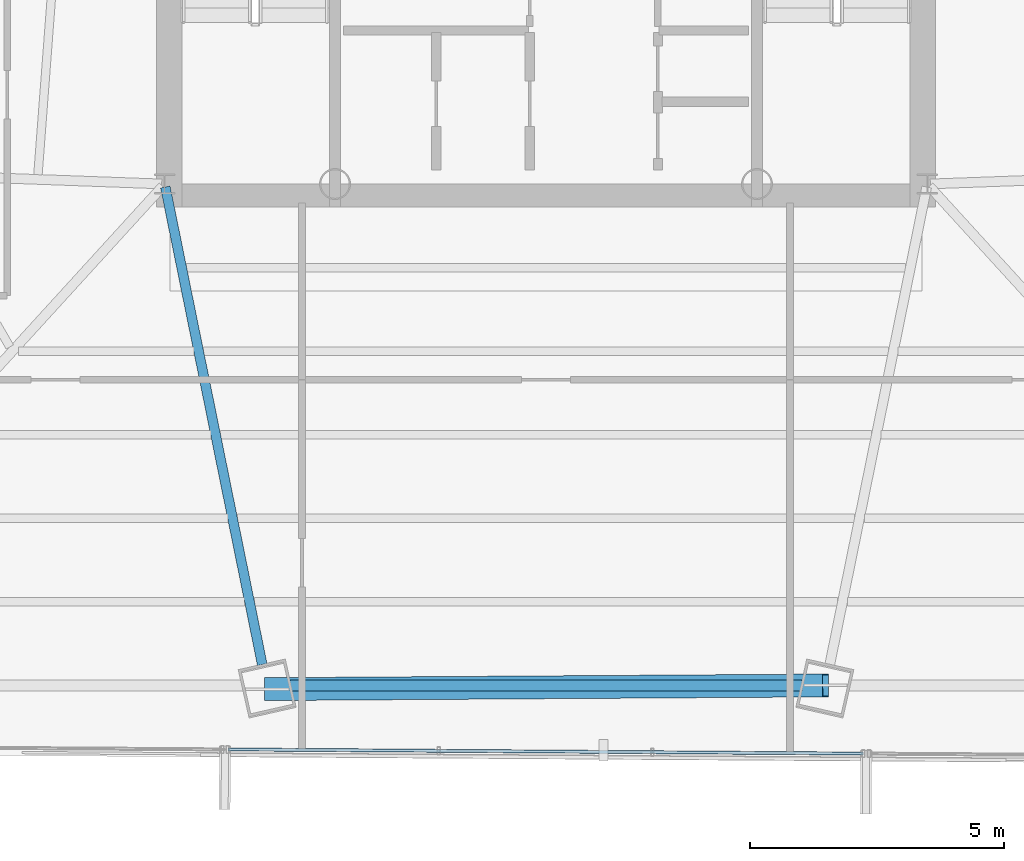
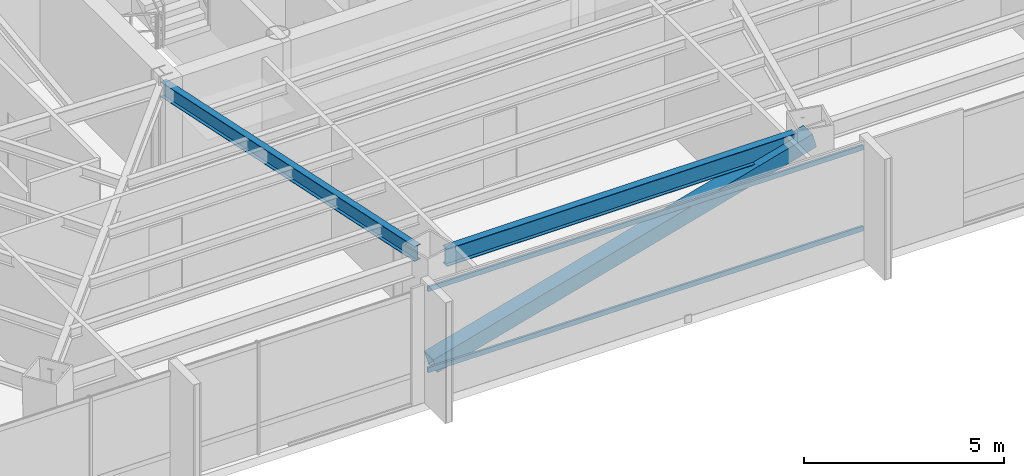
# One storey, part 9 of 41: 3 members, 2 beams, 1 element without a shape of its own.
"""IFC4 building model written with IfcOpenShell, lengths in metres."""

from ifc_helpers import new_model, si_unit, direction, frame, origin, origin_2d, place, context, subcontext, project, spatial, hollow_rectangle, i_section, extrude, source, transform, mapped, material, material_profile, profile_set, type_object, type_shapes, element, aggregate, save


model = new_model("IFC4")

# Units and contexts
model_context = context("Model", 3, precision=1e-05, world=origin(), true_north=direction((0.0, 1.0)))
body_context = subcontext(model_context, "Body", "Model", "MODEL_VIEW")
ifc_project = project(units=[si_unit("LENGTHUNIT", "METRE"), si_unit("AREAUNIT", "SQUARE_METRE"), si_unit("VOLUMEUNIT", "CUBIC_METRE"), si_unit("PLANEANGLEUNIT", "RADIAN"), si_unit("MASSUNIT", "GRAM", prefix="KILO")], contexts=[model_context])

# Site, building, storey
site_placement = place(None, origin())
site = spatial("IfcSite", under=ifc_project, at=site_placement, CompositionType="ELEMENT")
building_placement = place(site_placement, origin())
building = spatial("IfcBuilding", under=site, at=building_placement, Name="Caelisora Broadcast Tower", CompositionType="ELEMENT")
storey_placement = place(building_placement, frame((0.0, 0.0, 162.14990234375)))
storey = spatial("IfcBuildingStorey", under=building, at=storey_placement, Name="L42", CompositionType="ELEMENT", Elevation=162.14990234375)

# Beams
ifc_material_1 = material(Name="Steel Grade 350 (AS/NZS 3679.1)", Category="steel")
ifc_material_profile_1 = material_profile(ifc_material_1, i_section(OverallWidth=0.208984375, OverallDepth=0.532958984375, WebThickness=0.01025390625, FlangeThickness=0.015625, at=origin_2d()), Name="Steel Grade 350 (AS/NZS 3679.1)")
ifc_profile_set_1 = profile_set([ifc_material_profile_1], Name="Steel Grade 350 (AS/NZS 3679.1)")
beam_type_1 = type_object("IfcBeamType", Name="PG05", PredefinedType="BEAM", material=ifc_profile_set_1)
shared_shape_1 = source(origin(), body_context, "Body", "SweptSolid", [
    extrude(i_section(OverallWidth=0.208984375, OverallDepth=0.532958984375, WebThickness=0.01025390625, FlangeThickness=0.015625, at=origin_2d()), origin(), (0.0, 0.0, 1.0), 10.07568359375),
])
type_shapes(beam_type_1, [shared_shape_1])
beam_1_placement = place(storey_placement, frame((32.962158203125, 7.537353515625, 3.133544921875), z_axis=(1.0, 0.0, 0.0), x_axis=(0.0, 1.0, 0.0)))
element("IfcBeam", 1, at=beam_1_placement, inside=storey, type_object=beam_type_1, Name="L42 beam PG05", PredefinedType="BEAM", context=body_context, shape_type="MappedRepresentation", body=[
    mapped(shared_shape_1, transform((0.0, 0.0, 0.0), scale=1.0)),
])
ifc_material_profile_2 = material_profile(ifc_material_1, i_section(OverallWidth=0.19091796875, OverallDepth=0.46044921875, WebThickness=0.010009765625, FlangeThickness=0.01611328125, at=origin_2d()), Name="Steel Grade 350 (AS/NZS 3679.1)")
ifc_profile_set_2 = profile_set([ifc_material_profile_2], Name="Steel Grade 350 (AS/NZS 3679.1)")
beam_type_2 = type_object("IfcBeamType", Name="PG06", PredefinedType="BEAM", material=ifc_profile_set_2)
shared_shape_2 = source(origin(), body_context, "Body", "SweptSolid", [
    extrude(i_section(OverallWidth=0.19091796875, OverallDepth=0.46044921875, WebThickness=0.010009765625, FlangeThickness=0.01611328125, at=origin_2d()), origin(), (0.0, 0.0, 1.0), 9.583984375),
])
type_shapes(beam_type_2, [shared_shape_2])
beam_2_placement = place(storey_placement, frame((30.511962890625, 17.34130859375, 3.169921875), z_axis=(0.198927277941, -0.980014254024, 0.0), x_axis=(0.980014254024, 0.198927277941, 0.0)))
element("IfcBeam", 2, at=beam_2_placement, inside=storey, type_object=beam_type_2, Name="L42 beam PG06", PredefinedType="BEAM", context=body_context, shape_type="MappedRepresentation", body=[
    mapped(shared_shape_2, transform((0.0, 0.0, 0.0), scale=1.0)),
])

# Member
ifc_material_2 = material(Name="Steel Grade 450 (AS/NZS 1163 C450L0)", Category="steel")
ifc_material_profile_3 = material_profile(ifc_material_2, hollow_rectangle(XDim=0.449951171875, YDim=0.449951171875, WallThickness=0.01611328125, at=origin_2d()), Name="Steel Grade 450 (AS/NZS 1163 C450L0)")
ifc_profile_set_3 = profile_set([ifc_material_profile_3], Name="Steel Grade 450 (AS/NZS 1163 C450L0)")
member_type_1 = type_object("IfcMemberType", Name="BR03", PredefinedType="BRACE", material=ifc_profile_set_3)
shared_shape_3 = source(origin(), body_context, "Body", "SweptSolid", [
    extrude(hollow_rectangle(XDim=0.449951171875, YDim=0.449951171875, WallThickness=0.01611328125, at=origin_2d()), origin(), (0.0, 0.0, 1.0), 11.382080078125),
])
type_shapes(member_type_1, [shared_shape_3])
member_1_placement = place(storey_placement, frame((32.5185546875, 7.465087890625, 0.10009765625), z_axis=(0.964618040779, 0.006349134777, 0.263574892377), x_axis=(-0.006581876952, 0.999978339213, 0.0)))
element("IfcMember", 3, at=member_1_placement, inside=storey, type_object=member_type_1, Name="L42 perimeter brace BR03", PredefinedType="BRACE", context=body_context, shape_type="MappedRepresentation", body=[
    mapped(shared_shape_3, transform((0.0, 0.0, 0.0), scale=1.0)),
])

# Curtain wall, members
ifc_material_3 = material(Name="Unitised Aluminium Insulated Shadow-Box Spandrel Curtain Wall", Category="aluminium")
curtain_wall_type = type_object("IfcCurtainWallType", Name="CW-SP2", PredefinedType="NOTDEFINED", material=ifc_material_3)
curtain_wall_placement = place(storey_placement, origin())
curtain_wall = element("IfcCurtainWall", 4, at=curtain_wall_placement, inside=storey, type_object=curtain_wall_type, Name="L42 curtain wall CW-SP2", PredefinedType="NOTDEFINED")
ifc_material_4 = material(Name="Aluminium 6063-T6 Anodised Terracotta Bronze", Category="aluminium")
ifc_material_profile_4 = material_profile(ifc_material_4, hollow_rectangle(XDim=0.06005859375, YDim=0.14990234375, WallThickness=0.00341796875, at=origin_2d()), Name="Aluminium 6063-T6 Anodised Terracotta Bronze")
ifc_profile_set_4 = profile_set([ifc_material_profile_4], Name="Aluminium 6063-T6 Anodised Terracotta Bronze")
member_type_2 = type_object("IfcMemberType", Name="CWT-02", PredefinedType="USERDEFINED", material=ifc_profile_set_4)
shared_shape_4 = source(origin(), body_context, "Body", "SweptSolid", [
    extrude(hollow_rectangle(XDim=0.06005859375, YDim=0.14990234375, WallThickness=0.00341796875, at=origin_2d()), origin(), (0.0, 0.0, 1.0), 12.502685546875),
])
type_shapes(member_type_2, [shared_shape_4])
member_2_placement = place(storey_placement, frame((44.2431640625, 6.197509765625, 0.85009765625), z_axis=(-0.999978603826, 0.006541551109, 0.0), x_axis=(-0.006541551109, -0.999978603826, 0.0)))
member_2 = element("IfcMember", 5, at=member_2_placement, type_object=member_type_2, Name="L42-CW-B06 transom #1", ObjectType="TRANSOM", PredefinedType="USERDEFINED", context=body_context, shape_type="MappedRepresentation", body=[
    mapped(shared_shape_4, transform((0.0, 0.0, 0.0), scale=1.0)),
])
member_3_placement = place(storey_placement, frame((44.2431640625, 6.197509765625, 3.320068359375), z_axis=(-0.999978603826, 0.006541551109, 0.0), x_axis=(-0.006541551109, -0.999978603826, 0.0)))
member_3 = element("IfcMember", 6, at=member_3_placement, type_object=member_type_2, Name="L42-CW-B06 transom #2", ObjectType="TRANSOM", PredefinedType="USERDEFINED", context=body_context, shape_type="MappedRepresentation", body=[
    mapped(shared_shape_4, transform((0.0, 0.0, 0.0), scale=1.0)),
])
aggregate(curtain_wall, [member_2, member_3])

save(model, "model.ifc")
